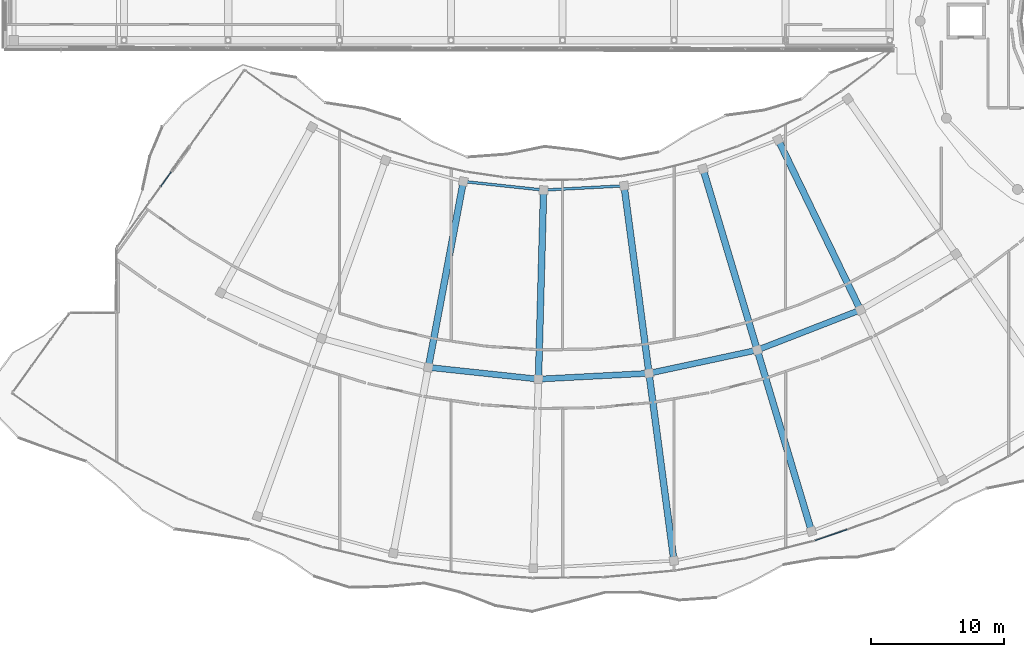
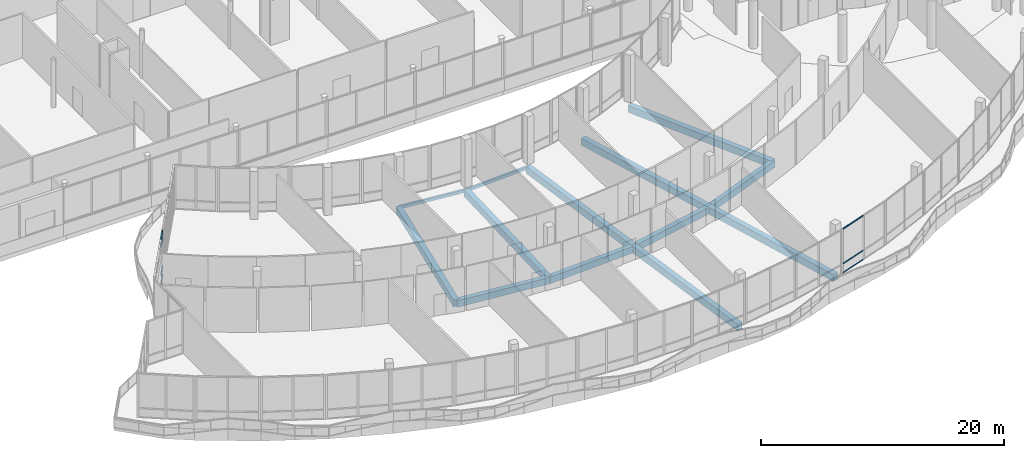
# One storey, part 23 of 155: 13 beams, 7 members, 2 elements without a shape of their own.
"""IFC4 building model written with IfcOpenShell, lengths in metres."""

from ifc_helpers import new_model, si_unit, direction, frame, origin, origin_2d, place, context, subcontext, project, spatial, rectangle, hollow_rectangle, extrude, material, material_profile, profile_set, type_object, element, aggregate, save


model = new_model("IFC4")

# Units and contexts
model_context = context("Model", 3, precision=1e-05, world=origin(), true_north=direction((0.0, 1.0)))
body_context = subcontext(model_context, "Body", "Model", "MODEL_VIEW")
ifc_project = project(units=[si_unit("LENGTHUNIT", "METRE"), si_unit("AREAUNIT", "SQUARE_METRE"), si_unit("VOLUMEUNIT", "CUBIC_METRE"), si_unit("PLANEANGLEUNIT", "RADIAN"), si_unit("MASSUNIT", "GRAM", prefix="KILO")], contexts=[model_context])

# Site, building, storey
site_placement = place(None, origin())
site = spatial("IfcSite", under=ifc_project, at=site_placement, CompositionType="ELEMENT")
building_placement = place(site_placement, origin())
building = spatial("IfcBuilding", under=site, at=building_placement, Name="Selatvlak General Hospital", CompositionType="ELEMENT")
storey_placement = place(building_placement, frame((0.0, 0.0, 10.199951171875)))
storey = spatial("IfcBuildingStorey", under=building, at=storey_placement, Name="L02", CompositionType="ELEMENT", Elevation=10.199951171875)

# Beams
ifc_material_1 = material(Name="Concrete C40/50", Category="concrete")
ifc_material_profile_1 = material_profile(ifc_material_1, rectangle(XDim=0.5, YDim=0.699951171875, at=origin_2d()), Name="RC-BM 500x700")
ifc_profile_set_1 = profile_set([ifc_material_profile_1], Name="Concrete C40/50")
beam_type_1 = type_object("IfcBeamType", Name="BM-G03", PredefinedType="BEAM", material=ifc_profile_set_1)
beam_1_placement = place(storey_placement, frame((48.924072265625, 41.909912109375, -0.704833984375), z_axis=(-0.184983631041, -0.982741601972, 0.0), x_axis=(0.982741601972, -0.184983631041, 0.0)))
element("IfcBeam", 1, at=beam_1_placement, inside=storey, type_object=beam_type_1, Name="Beam BMR-L02-1109", PredefinedType="BEAM", context=body_context, shape_type="SweptSolid", body=[
    extrude(rectangle(XDim=0.5, YDim=0.699951171875, at=origin_2d()), origin(), (0.0, 0.0, 1.0), 14.249755859375),
])
beam_2_placement = place(storey_placement, frame((54.968017578125, 41.262939453125, -0.704833984375), z_axis=(-0.027088422576, -0.999633041352, 0.0), x_axis=(0.999633041352, -0.027088422576, 0.0)))
element("IfcBeam", 2, at=beam_2_placement, inside=storey, type_object=beam_type_1, Name="Beam BMR-L02-1111", PredefinedType="BEAM", context=body_context, shape_type="SweptSolid", body=[
    extrude(rectangle(XDim=0.5, YDim=0.699951171875, at=origin_2d()), origin(), (0.0, 0.0, 1.0), 14.2490234375),
])
for number, where, z_axis, x_axis, name in (
    (3, (61.034912109375, 41.5830078125, -0.704833984375), (0.131731654767, -0.991285413558, 0.0), (0.991285413558, 0.131731654767, 0.0), "Beam BMR-L02-1113"),
    (4, (62.912109375, 27.45703125, -0.704833984375), (0.131714819532, -0.991287650642, 0.0), (0.991287650642, 0.131714819532, 0.0), "Beam BMR-L02-1114"),
):
    element("IfcBeam", number, at=place(storey_placement, frame(where, z_axis=z_axis, x_axis=x_axis)), inside=storey, type_object=beam_type_1, Name=name, PredefinedType="BEAM", context=body_context, shape_type="SweptSolid", body=[
        extrude(rectangle(XDim=0.5, YDim=0.699951171875, at=origin_2d()), origin(), (0.0, 0.0, 1.0), 14.250244140625),
    ])
for number, where, z_axis, x_axis, name in (
    (5, (66.97900390625, 42.861083984375, -0.704833984375), (0.286849619042, -0.957975623936, 0.0), (0.957975623936, 0.286849619042, 0.0), "Beam BMR-L02-1115"),
    (6, (71.06689453125, 29.208984375, -0.704833984375), (0.286865340788, -0.957970916184, 0.0), (0.957970916184, 0.286865340788, 0.0), "Beam BMR-L02-1116"),
):
    element("IfcBeam", number, at=place(storey_placement, frame(where, z_axis=z_axis, x_axis=x_axis)), inside=storey, type_object=beam_type_1, Name=name, PredefinedType="BEAM", context=body_context, shape_type="SweptSolid", body=[
        extrude(rectangle(XDim=0.5, YDim=0.699951171875, at=origin_2d()), origin(), (0.0, 0.0, 1.0), 14.2509765625),
    ])
beam_3_placement = place(storey_placement, frame((72.639892578125, 45.06005859375, -0.704833984375), z_axis=(0.435222358934, -0.900322996643, 0.0), x_axis=(0.900322996643, 0.435222358934, 0.0)))
element("IfcBeam", 7, at=beam_3_placement, inside=storey, type_object=beam_type_1, Name="Beam BMR-L02-1117", PredefinedType="BEAM", context=body_context, shape_type="SweptSolid", body=[
    extrude(rectangle(XDim=0.5, YDim=0.699951171875, at=origin_2d()), origin(), (0.0, 0.0, 1.0), 14.25048828125),
])
ifc_material_profile_2 = material_profile(ifc_material_1, rectangle(XDim=0.449951171875, YDim=0.64990234375, at=origin_2d()), Name="RC-BM 450x650")
ifc_profile_set_2 = profile_set([ifc_material_profile_2], Name="Concrete C40/50")
beam_type_2 = type_object("IfcBeamType", Name="BM-G04", PredefinedType="BEAM", material=ifc_profile_set_2)
beam_4_placement = place(storey_placement, frame((46.2880859375, 27.906005859375, -0.679931640625), z_axis=(0.994330393907, -0.10633469684, 0.0), x_axis=(0.10633469684, 0.994330393907, 0.0)))
element("IfcBeam", 8, at=beam_4_placement, inside=storey, type_object=beam_type_2, Name="Beam BMR-L02-1134", PredefinedType="BEAM", context=body_context, shape_type="SweptSolid", body=[
    extrude(rectangle(XDim=0.449951171875, YDim=0.64990234375, at=origin_2d()), origin(), (0.0, 0.0, 1.0), 8.34130859375),
])
beam_5_placement = place(storey_placement, frame((54.58203125, 27.01904296875, -0.679931640625), z_axis=(0.998620576885, 0.052506603603, 0.0), x_axis=(-0.052506603603, 0.998620576885, 0.0)))
element("IfcBeam", 9, at=beam_5_placement, inside=storey, type_object=beam_type_2, Name="Beam BMR-L02-1135", PredefinedType="BEAM", context=body_context, shape_type="SweptSolid", body=[
    extrude(rectangle(XDim=0.449951171875, YDim=0.64990234375, at=origin_2d()), origin(), (0.0, 0.0, 1.0), 8.341552734375),
])
beam_6_placement = place(storey_placement, frame((62.912109375, 27.45703125, -0.679931640625), z_axis=(0.977691764251, 0.210044790739, 0.0), x_axis=(-0.210044790739, 0.977691764251, 0.0)))
element("IfcBeam", 10, at=beam_6_placement, inside=storey, type_object=beam_type_2, Name="Beam BMR-L02-1136", PredefinedType="BEAM", context=body_context, shape_type="SweptSolid", body=[
    extrude(rectangle(XDim=0.449951171875, YDim=0.64990234375, at=origin_2d()), origin(), (0.0, 0.0, 1.0), 8.3408203125),
])
beam_7_placement = place(storey_placement, frame((71.06689453125, 29.208984375, -0.679931640625), z_axis=(0.932112837016, 0.362167998406, 0.0), x_axis=(-0.362167998406, 0.932112837016, 0.0)))
element("IfcBeam", 11, at=beam_7_placement, inside=storey, type_object=beam_type_2, Name="Beam BMR-L02-1137", PredefinedType="BEAM", context=body_context, shape_type="SweptSolid", body=[
    extrude(rectangle(XDim=0.449951171875, YDim=0.64990234375, at=origin_2d()), origin(), (0.0, 0.0, 1.0), 8.34130859375),
])
ifc_material_2 = material(Name="Steel S355", Category="steel")
ifc_material_profile_3 = material_profile(ifc_material_2, hollow_rectangle(XDim=0.199951171875, YDim=0.300048828125, WallThickness=0.011962890625, at=origin_2d()), Name="RHS 300x200x12")
ifc_profile_set_3 = profile_set([ifc_material_profile_3], Name="Steel S355")
beam_type_3 = type_object("IfcBeamType", Name="BM-SP3", PredefinedType="SPANDREL", material=ifc_profile_set_3)
beam_8_placement = place(storey_placement, frame((48.924072265625, 41.909912109375, -0.5048828125), z_axis=(0.994319481673, -0.106436687124, 0.0), x_axis=(0.106436687124, 0.994319481673, 0.0)))
element("IfcBeam", 12, at=beam_8_placement, inside=storey, type_object=beam_type_3, Name="Beam BMR-L02-1126", PredefinedType="SPANDREL", context=body_context, shape_type="SweptSolid", body=[
    extrude(hollow_rectangle(XDim=0.199951171875, YDim=0.300048828125, WallThickness=0.011962890625, at=origin_2d()), origin(), (0.0, 0.0, 1.0), 6.078369140625),
])
beam_9_placement = place(storey_placement, frame((54.968017578125, 41.262939453125, -0.5048828125), z_axis=(0.998611271998, 0.052683274752, 0.0), x_axis=(-0.052683274752, 0.998611271998, 0.0)))
element("IfcBeam", 13, at=beam_9_placement, inside=storey, type_object=beam_type_3, Name="Beam BMR-L02-1127", PredefinedType="SPANDREL", context=body_context, shape_type="SweptSolid", body=[
    extrude(hollow_rectangle(XDim=0.199951171875, YDim=0.300048828125, WallThickness=0.011962890625, at=origin_2d()), origin(), (0.0, 0.0, 1.0), 6.075439453125),
])

# Curtain wall, members
ifc_material_3 = material(Name="Solar-control Low-E double glazing", Category="glass")
curtain_wall_type_1 = type_object("IfcCurtainWallType", Name="CW-CW-02", PredefinedType="USERDEFINED", material=ifc_material_3)
curtain_wall_1_placement = place(storey_placement, origin())
curtain_wall_1 = element("IfcCurtainWall", 14, at=curtain_wall_1_placement, inside=storey, type_object=curtain_wall_type_1, Name="Glazed facade curtain wall CW-L02-0302", ObjectType="UNITISED CURTAIN WALL", PredefinedType="USERDEFINED")
ifc_material_4 = material(Name="Dark anodised aluminium mullion", Category="aluminium")
ifc_material_profile_4 = material_profile(ifc_material_4, hollow_rectangle(XDim=0.06494140625, YDim=0.1201171875, WallThickness=0.00390625, at=origin_2d()), Name="AL-TRN 65x120x4")
ifc_profile_set_4 = profile_set([ifc_material_profile_4], Name="Dark anodised aluminium mullion")
member_type = type_object("IfcMemberType", Name="CWT-01", PredefinedType="USERDEFINED", material=ifc_profile_set_4)
member_1_placement = place(storey_placement, frame((77.855712890625, 15.69189453125, 0.032470703125), z_axis=(-0.945837511691, -0.324640418737, 0.0), x_axis=(0.324640418737, -0.945837511691, 0.0)))
member_1 = element("IfcMember", 15, at=member_1_placement, type_object=member_type, Name="CW-02 transom 2.1", ObjectType="TRANSOM", PredefinedType="USERDEFINED", context=body_context, shape_type="SweptSolid", body=[
    extrude(hollow_rectangle(XDim=0.06494140625, YDim=0.1201171875, WallThickness=0.00390625, at=origin_2d()), origin(), (0.0, 0.0, 1.0), 2.547119140625),
])
member_2_placement = place(storey_placement, frame((77.855712890625, 15.69189453125, 0.949951171875), z_axis=(-0.945837511691, -0.324640418737, 0.0), x_axis=(0.324640418737, -0.945837511691, 0.0)))
member_2 = element("IfcMember", 16, at=member_2_placement, type_object=member_type, Name="CW-02 transom 2.2", ObjectType="TRANSOM", PredefinedType="USERDEFINED", context=body_context, shape_type="SweptSolid", body=[
    extrude(hollow_rectangle(XDim=0.06494140625, YDim=0.1201171875, WallThickness=0.00390625, at=origin_2d()), origin(), (0.0, 0.0, 1.0), 2.547119140625),
])
member_3_placement = place(storey_placement, frame((77.855712890625, 15.69189453125, 4.427490234375), z_axis=(-0.945837511691, -0.324640418737, 0.0), x_axis=(0.324640418737, -0.945837511691, 0.0)))
member_3 = element("IfcMember", 17, at=member_3_placement, type_object=member_type, Name="CW-02 transom 2.3", ObjectType="TRANSOM", PredefinedType="USERDEFINED", context=body_context, shape_type="SweptSolid", body=[
    extrude(hollow_rectangle(XDim=0.06494140625, YDim=0.1201171875, WallThickness=0.00390625, at=origin_2d()), origin(), (0.0, 0.0, 1.0), 2.547119140625),
])
aggregate(curtain_wall_1, [member_1, member_2, member_3])

curtain_wall_type_2 = type_object("IfcCurtainWallType", Name="CW-CW-01", PredefinedType="USERDEFINED", material=ifc_material_3)
curtain_wall_2_placement = place(storey_placement, origin())
curtain_wall_2 = element("IfcCurtainWall", 18, at=curtain_wall_2_placement, inside=storey, type_object=curtain_wall_type_2, Name="Glazed facade curtain wall CW-L02-0319", ObjectType="UNITISED CURTAIN WALL", PredefinedType="USERDEFINED")
member_4_placement = place(storey_placement, frame((26.136962890625, 41.54638671875, 0.032470703125), z_axis=(0.584009392292, 0.811746900034, 0.0), x_axis=(-0.811746900034, 0.584009392292, 0.0)))
member_4 = element("IfcMember", 19, at=member_4_placement, type_object=member_type, Name="CW-01 transom 5.1", ObjectType="TRANSOM", PredefinedType="USERDEFINED", context=body_context, shape_type="SweptSolid", body=[
    extrude(hollow_rectangle(XDim=0.06494140625, YDim=0.1201171875, WallThickness=0.00390625, at=origin_2d()), origin(), (0.0, 0.0, 1.0), 1.306884765625),
])
member_5_placement = place(storey_placement, frame((26.136962890625, 41.54638671875, 0.900146484375), z_axis=(0.584009392292, 0.811746900034, 0.0), x_axis=(-0.811746900034, 0.584009392292, 0.0)))
member_5 = element("IfcMember", 20, at=member_5_placement, type_object=member_type, Name="CW-01 transom 5.2", ObjectType="TRANSOM", PredefinedType="USERDEFINED", context=body_context, shape_type="SweptSolid", body=[
    extrude(hollow_rectangle(XDim=0.06494140625, YDim=0.1201171875, WallThickness=0.00390625, at=origin_2d()), origin(), (0.0, 0.0, 1.0), 1.306884765625),
])
member_6_placement = place(storey_placement, frame((26.136962890625, 41.54638671875, 3.81005859375), z_axis=(0.584009392292, 0.811746900034, 0.0), x_axis=(-0.811746900034, 0.584009392292, 0.0)))
member_6 = element("IfcMember", 21, at=member_6_placement, type_object=member_type, Name="CW-01 transom 5.3", ObjectType="TRANSOM", PredefinedType="USERDEFINED", context=body_context, shape_type="SweptSolid", body=[
    extrude(hollow_rectangle(XDim=0.06494140625, YDim=0.1201171875, WallThickness=0.00390625, at=origin_2d()), origin(), (0.0, 0.0, 1.0), 1.306884765625),
])
member_7_placement = place(storey_placement, frame((26.136962890625, 41.54638671875, 4.427490234375), z_axis=(0.584009392292, 0.811746900034, 0.0), x_axis=(-0.811746900034, 0.584009392292, 0.0)))
member_7 = element("IfcMember", 22, at=member_7_placement, type_object=member_type, Name="CW-01 transom 5.4", ObjectType="TRANSOM", PredefinedType="USERDEFINED", context=body_context, shape_type="SweptSolid", body=[
    extrude(hollow_rectangle(XDim=0.06494140625, YDim=0.1201171875, WallThickness=0.00390625, at=origin_2d()), origin(), (0.0, 0.0, 1.0), 1.306884765625),
])
aggregate(curtain_wall_2, [member_4, member_5, member_6, member_7])

save(model, "model.ifc")
